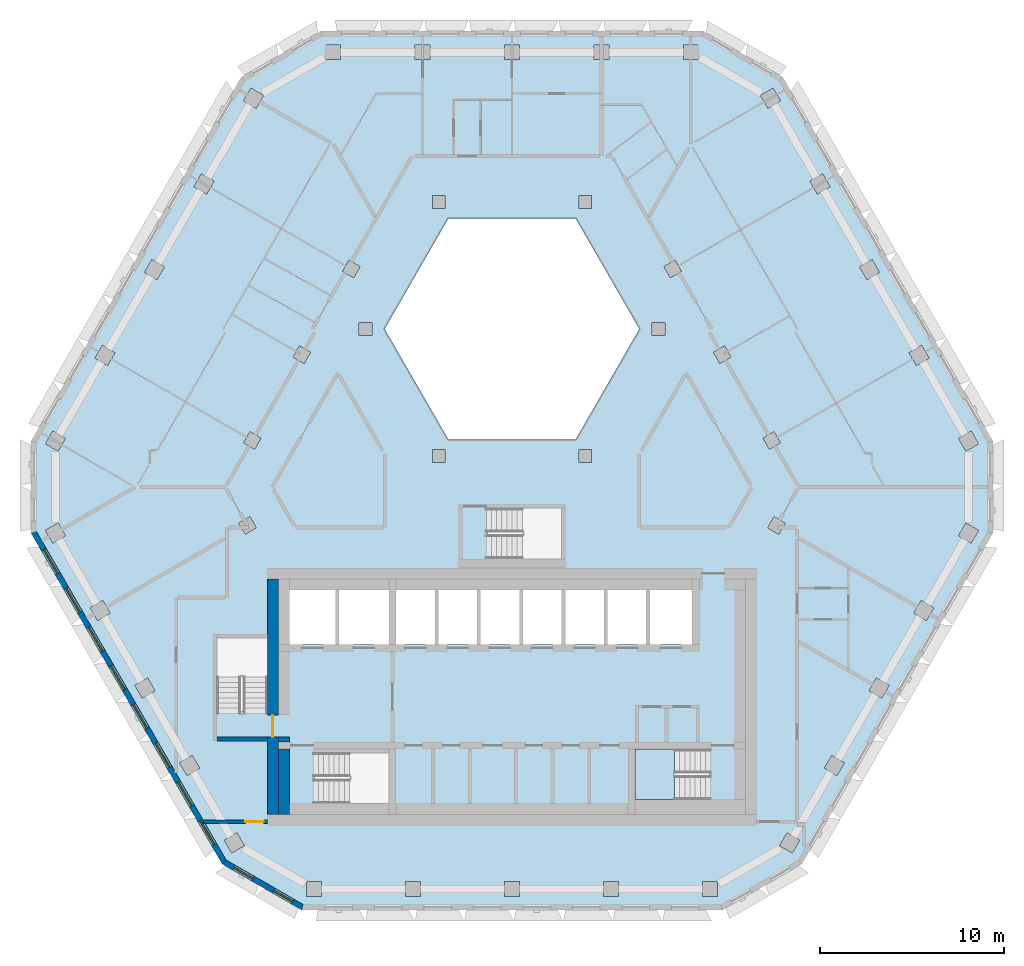
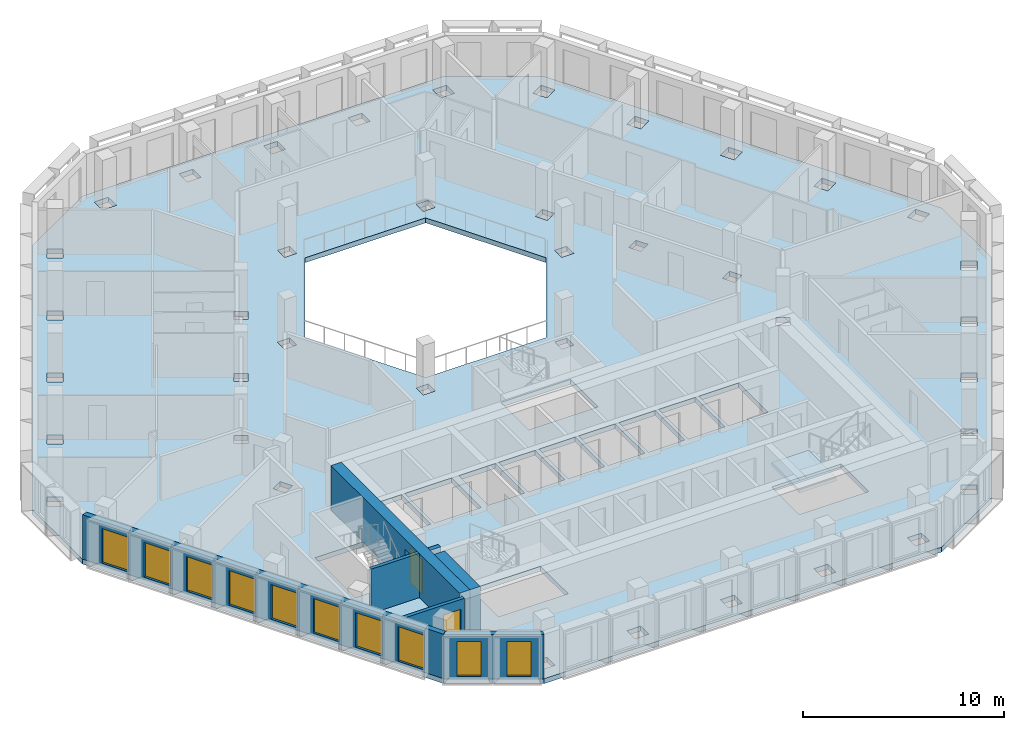
# One storey, part 2 of 17: 10 windows, 7 walls, 2 doors, 2 slabs, 12 openings, 1 element without a shape of its own.
"""IFC4 building model written with IfcOpenShell, lengths in metres."""

import ifcopenshell
import ifcopenshell.guid

model = None  # the IFC model being written
_history = None  # IfcOwnerHistory: only IFC2X3 demands one
_inside = {}  # id of a spatial element -> (the spatial element, [elements in it])
_under = {}  # id of a project, library or spatial element -> (it, [spatial elements below it])
_declared = {}  # id of a project -> (the project, [libraries it declares])
_typed = {}  # id of a type object -> (the type object, [elements of that type])
_made_of = {}  # id of a material, layer set ... -> (it, [elements and type objects made of it])


def new_model(schema):
    """Start an empty IFC model of exactly this schema.

    Asked for "IFC4X3", IfcOpenShell would pick the latest addendum, in which some entities
    have other attributes; the version numbers below select the first issue.
    IFC2X3 requires an IfcOwnerHistory on every rooted entity: one is made here for all.
    """
    global model, _history
    if schema == "IFC4X3":
        model = ifcopenshell.file(schema_version=(4, 3, 0, 0))
    else:
        model = ifcopenshell.file(schema=schema)
    _inside.clear()
    _under.clear()
    _declared.clear()
    _typed.clear()
    _made_of.clear()
    _history = None
    if model.schema == "IFC2X3":
        org = make("IfcOrganization", Name="unknown")
        user = make(
            "IfcPersonAndOrganization",
            ThePerson=make("IfcPerson", FamilyName="unknown"),
            TheOrganization=org,
        )
        app = make(
            "IfcApplication",
            ApplicationDeveloper=org,
            Version="unknown",
            ApplicationFullName="unknown",
            ApplicationIdentifier="unknown",
        )
        _history = make(
            "IfcOwnerHistory",
            OwningUser=user,
            OwningApplication=app,
            ChangeAction="ADDED",
            CreationDate=0,
        )
    return model


def make(cls, **values):
    """One entity of the class cls with the attributes given. An attribute that is None is left unset."""
    return model.create_entity(
        cls, **{name: value for name, value in values.items() if value is not None}
    )


def rooted(cls, **values):
    """An entity with a GlobalId (a new one), such as an element, a storey or a relation."""
    return make(cls, GlobalId=ifcopenshell.guid.new(), OwnerHistory=_history, **values)


def si_unit(unit_type, name, prefix=None):
    """IfcSIUnit, for example si_unit("LENGTHUNIT", "METRE", prefix="MILLI")."""
    return make("IfcSIUnit", UnitType=unit_type, Prefix=prefix, Name=name)


def assignment(units):
    """IfcUnitAssignment: the units of a project."""
    return None if units is None else make("IfcUnitAssignment", Units=units)


def point(xyz):
    """IfcCartesianPoint."""
    return None if xyz is None else make("IfcCartesianPoint", Coordinates=xyz)


def direction(xyz):
    """IfcDirection."""
    return None if xyz is None else make("IfcDirection", DirectionRatios=xyz)


def frame(location, z_axis=None, x_axis=None):
    """IfcAxis2Placement3D, a coordinate frame: its origin and axes. An axis left out is left unset."""
    return make(
        "IfcAxis2Placement3D",
        Location=point(location),
        Axis=direction(z_axis),
        RefDirection=direction(x_axis),
    )


def frame_2d(location, x_axis=None):
    """IfcAxis2Placement2D, a coordinate frame in the plane: its origin and x axis."""
    return make(
        "IfcAxis2Placement2D", Location=point(location), RefDirection=direction(x_axis)
    )


def origin():
    """The frame at (0, 0, 0) with its axes left unset."""
    return frame((0.0, 0.0, 0.0))


def place(relative_to, where):
    """IfcLocalPlacement: puts the frame where relative to a parent placement (None: the world)."""
    return make(
        "IfcLocalPlacement", PlacementRelTo=relative_to, RelativePlacement=where
    )


def context(
    kind, dimensions, precision=None, world=None, true_north=None, identifier=None
):
    """IfcGeometricRepresentationContext, for example the 3D "Model" context."""
    return make(
        "IfcGeometricRepresentationContext",
        ContextIdentifier=identifier,
        ContextType=kind,
        CoordinateSpaceDimension=dimensions,
        Precision=precision,
        WorldCoordinateSystem=world,
        TrueNorth=true_north,
    )


def subcontext(parent, identifier, kind, view, scale=None):
    """IfcGeometricRepresentationSubContext, for example "Body" below "Model"."""
    return make(
        "IfcGeometricRepresentationSubContext",
        ContextIdentifier=identifier,
        ContextType=kind,
        ParentContext=parent,
        TargetScale=scale,
        TargetView=view,
    )


def project(units=None, contexts=None):
    """IfcProject with its units and contexts."""
    return rooted(
        "IfcProject",
        Name="project",
        RepresentationContexts=contexts,
        UnitsInContext=assignment(units),
    )


def spatial(cls, under=None, at=None, **own):
    """A site, building, storey or space (cls), placed at a placement, below another one or the project."""
    s = rooted(cls, ObjectPlacement=at, **own)
    if under is not None:
        _under.setdefault(under.id(), (under, []))[1].append(s)
    return s


def polyline(points):
    """IfcPolyline through the points."""
    return make("IfcPolyline", Points=[point(p) for p in points])


def profile(cls, at=None, kind="AREA", **sizes):
    """A parametric profile (cls). Its sizes go by their IFC names, for example OverallWidth=200.0."""
    return make(cls, ProfileType=kind, Position=at, **sizes)


def rectangle(**sizes):
    """IfcRectangleProfileDef."""
    return profile("IfcRectangleProfileDef", **sizes)


def outline(outer, holes=None, kind="AREA"):
    """IfcArbitraryClosedProfileDef: a profile drawn as a closed curve; with holes, ...WithVoids."""
    if holes is None:
        return make("IfcArbitraryClosedProfileDef", ProfileType=kind, OuterCurve=outer)
    return make(
        "IfcArbitraryProfileDefWithVoids",
        ProfileType=kind,
        OuterCurve=outer,
        InnerCurves=holes,
    )


def extrude(swept, where, along, depth):
    """IfcExtrudedAreaSolid: the profile swept, set in the frame where, extruded along a direction by depth."""
    return make(
        "IfcExtrudedAreaSolid",
        SweptArea=swept,
        Position=where,
        ExtrudedDirection=direction(along),
        Depth=depth,
    )


def shape(context_of_items, identifier, shape_type, items):
    """IfcShapeRepresentation: the items that make up one representation, for example the "Body"."""
    return make(
        "IfcShapeRepresentation",
        ContextOfItems=context_of_items,
        RepresentationIdentifier=identifier,
        RepresentationType=shape_type,
        Items=items,
    )


def material(Name=None, Category=None):
    """IfcMaterial."""
    return make("IfcMaterial", Name=Name, Category=Category)


def layer(
    of_material, thickness, ventilated=None, Name=None, Category=None, Priority=None
):
    """IfcMaterialLayer: one layer of a wall or slab, of a material (None: an air gap)."""
    return make(
        "IfcMaterialLayer",
        Material=of_material,
        LayerThickness=thickness,
        IsVentilated=ventilated,
        Name=Name,
        Category=Category,
        Priority=Priority,
    )


def layer_set(layers, Name=None):
    """IfcMaterialLayerSet."""
    return make("IfcMaterialLayerSet", MaterialLayers=layers, LayerSetName=Name)


def made_of(thing, what):
    """Note that an element or type object is made of a material, layer set ...; save() writes the relation."""
    if what is not None:
        _made_of.setdefault(what.id(), (what, []))[1].append(thing)
    return thing


def type_object(cls, material=None, **own):
    """A type object (cls), such as IfcWallType, which elements share."""
    return made_of(rooted(cls, **own), material)


def element(
    cls,
    number,
    at=None,
    inside=None,
    cuts=None,
    type_object=None,
    material=None,
    context=None,
    identifier="Body",
    shape_type=None,
    held_by="IfcProductDefinitionShape",
    body=None,
    shapes=None,
    **own,
):
    """One element of the class cls, such as IfcWall. Its Tag is "e" and its number.

    at: its placement. inside: the storey or other place that contains it. cuts: it is an
    opening in that element (IfcRelVoidsElement). A single representation is given by context,
    identifier, shape_type and body (its items); several are given by shapes. held_by: the class
    of the entity that holds the representations. save() writes the other relations.
    """
    e = rooted(cls, Tag="e%d" % number, ObjectPlacement=at, **own)
    if body is not None:
        shapes = [shape(context, identifier, shape_type, body)]
    if shapes is not None:
        e.Representation = make(held_by, Representations=shapes)
    if inside is not None:
        _inside.setdefault(inside.id(), (inside, []))[1].append(e)
    if cuts is not None:
        rooted(
            "IfcRelVoidsElement", RelatingBuildingElement=cuts, RelatedOpeningElement=e
        )
    if type_object is not None:
        _typed.setdefault(type_object.id(), (type_object, []))[1].append(e)
    return made_of(e, material)


def fill(opening, filler):
    """IfcRelFillsElement: the door or window that sits in an opening."""
    return rooted(
        "IfcRelFillsElement",
        RelatingOpeningElement=opening,
        RelatedBuildingElement=filler,
    )


def aggregate(whole, parts):
    """IfcRelAggregates: a whole, such as a stair, and the parts it consists of."""
    return rooted("IfcRelAggregates", RelatingObject=whole, RelatedObjects=parts)


def save(model, path):
    """Write the relations noted so far, then the file.

    IfcRelAggregates (storeys below a building ...), IfcRelContainedInSpatialStructure (elements
    in a storey), IfcRelDefinesByType, IfcRelAssociatesMaterial and IfcRelDeclares: one each for
    every whole, place, type object, material and project.
    """
    for whole, parts in _under.values():
        aggregate(whole, parts)
    for where, things in _inside.values():
        rooted(
            "IfcRelContainedInSpatialStructure",
            RelatedElements=things,
            RelatingStructure=where,
        )
    for kind, things in _typed.values():
        rooted("IfcRelDefinesByType", RelatedObjects=things, RelatingType=kind)
    for what, things in _made_of.values():
        rooted("IfcRelAssociatesMaterial", RelatedObjects=things, RelatingMaterial=what)
    for by, libraries in _declared.values():
        rooted("IfcRelDeclares", RelatingContext=by, RelatedDefinitions=libraries)
    model.write(path)


model = new_model("IFC4")

# Units and contexts
model_context = context("Model", 3, precision=1e-05, world=origin(), true_north=direction((0.0, 1.0)))
body_context = subcontext(model_context, "Body", "Model", "MODEL_VIEW")
ifc_project = project(units=[si_unit("LENGTHUNIT", "METRE"), si_unit("AREAUNIT", "SQUARE_METRE"), si_unit("VOLUMEUNIT", "CUBIC_METRE"), si_unit("PLANEANGLEUNIT", "RADIAN"), si_unit("MASSUNIT", "GRAM", prefix="KILO")], contexts=[model_context])

# Site, building, storey
site_placement = place(None, origin())
site = spatial("IfcSite", under=ifc_project, at=site_placement, CompositionType="ELEMENT")
building_placement = place(site_placement, origin())
building = spatial("IfcBuilding", under=site, at=building_placement, Name="Beryl Residences", CompositionType="ELEMENT")
storey_placement = place(building_placement, frame((0.0, 0.0, 172.199951171875)))
storey = spatial("IfcBuildingStorey", under=building, at=storey_placement, Name="L52", CompositionType="ELEMENT", Elevation=172.199951171875)

# Slab
ifc_material_1 = material(Name="Concrete C40/50", Category="concrete")
ifc_layer_1 = layer(ifc_material_1, 0.300048828125)
ifc_layer_set_1 = layer_set([ifc_layer_1], Name="SL7 PT floor slab 300 mm C40/50")
slab_type_1 = type_object("IfcSlabType", Name="SL7 PT floor slab 300 mm C40/50", PredefinedType="FLOOR", material=ifc_layer_set_1)
slab_1_placement = place(storey_placement, frame((0.0, 0.0, -0.300048828125)))
element("IfcSlab", 1, at=slab_1_placement, inside=storey, type_object=slab_type_1, Name="L52 slab 1", PredefinedType="FLOOR", context=body_context, shape_type="SweptSolid", body=[
    extrude(outline(polyline([(26.154052734375, -3.10009765625), (15.760986328125, -21.10009765625), (11.430908203125, -23.60009765625), (-11.430908203125, -23.60009765625), (-15.760986328125, -21.10009765625), (-26.154052734375, -3.10009765625), (-26.154052734375, 1.89990234375), (-14.721923828125, 21.699951171875), (-10.39208984375, 24.199951171875), (10.39208984375, 24.199951171875), (14.721923828125, 21.699951171875), (26.154052734375, 1.89990234375), (26.154052734375, -3.10009765625)]), holes=[polyline([(24.971923828125, 2.446044921875), (24.280029296875, 2.0458984375), (24.679931640625, 1.35400390625), (25.3720703125, 1.75390625), (24.971923828125, 2.446044921875)]), polyline([(24.678955078125, -2.554931640625), (24.279052734375, -3.2470703125), (24.970947265625, -3.64697265625), (25.37109375, -2.955078125), (24.678955078125, -2.554931640625)]), polyline([(22.2470703125, -6.76806640625), (21.846923828125, -7.4599609375), (22.5390625, -7.860107421875), (22.93896484375, -7.16796875), (22.2470703125, -6.76806640625)]), polyline([(22.280029296875, 7.10791015625), (21.587890625, 6.7080078125), (21.988037109375, 6.01611328125), (22.679931640625, 6.416015625), (22.280029296875, 7.10791015625)]), polyline([(19.4150390625, -11.672119140625), (20.10693359375, -12.072021484375), (20.507080078125, -11.3798828125), (19.81494140625, -10.97998046875), (19.4150390625, -11.672119140625)]), polyline([(18.89599609375, 11.37109375), (19.2958984375, 10.678955078125), (19.988037109375, 11.0791015625), (19.587890625, 11.77099609375), (18.89599609375, 11.37109375)]), polyline([(18.074951171875, -15.592041015625), (17.383056640625, -15.19189453125), (16.98291015625, -15.884033203125), (17.675048828125, -16.283935546875), (18.074951171875, -15.592041015625)]), polyline([(16.89599609375, 16.43408203125), (16.2041015625, 16.033935546875), (16.60400390625, 15.342041015625), (17.2958984375, 15.741943359375), (16.89599609375, 16.43408203125)]), polyline([(15.64306640625, -19.804931640625), (14.950927734375, -19.405029296875), (14.551025390625, -20.096923828125), (15.242919921875, -20.4970703125), (15.64306640625, -19.804931640625)]), polyline([(14.860107421875, -2.56103515625), (14.25390625, -2.2109375), (13.904052734375, -2.81689453125), (14.510009765625, -3.1669921875), (14.860107421875, -2.56103515625)]), polyline([(14.2041015625, 21.095947265625), (13.511962890625, 20.696044921875), (13.912109375, 20.00390625), (14.60400390625, 20.404052734375), (14.2041015625, 21.095947265625)]), polyline([(13.64501953125, 2.06494140625), (13.9951171875, 1.458984375), (14.60107421875, 1.80908203125), (14.2509765625, 2.4150390625), (13.64501953125, 2.06494140625)]), polyline([(11.55908203125, 7.077880859375), (10.952880859375, 6.72802734375), (11.302978515625, 6.1220703125), (11.908935546875, 6.471923828125), (11.55908203125, 7.077880859375)]), polyline([(11.1689453125, -22.050048828125), (10.368896484375, -22.050048828125), (10.368896484375, -22.85009765625), (11.1689453125, -22.85009765625), (11.1689453125, -22.050048828125)]), polyline([(6.699951171875, -14.85009765625), (6.699951171875, -17.60009765625), (10.699951171875, -17.60009765625), (10.699951171875, -14.85009765625), (6.699951171875, -14.85009765625)]), polyline([(9.327880859375, 23.449951171875), (9.327880859375, 22.64990234375), (10.1279296875, 22.64990234375), (10.1279296875, 23.449951171875), (9.327880859375, 23.449951171875)]), polyline([(7.5, -9.14990234375), (9.800048828125, -9.14990234375), (9.800048828125, -6.199951171875), (7.5, -6.199951171875), (7.5, -9.14990234375)]), polyline([(8.260986328125, 11.39111328125), (8.611083984375, 10.784912109375), (9.217041015625, 11.135009765625), (8.866943359375, 11.740966796875), (8.260986328125, 11.39111328125)]), polyline([(8.31689453125, 7.64990234375), (8.31689453125, 8.35009765625), (7.616943359375, 8.35009765625), (7.616943359375, 7.64990234375), (8.31689453125, 7.64990234375)]), polyline([(5.199951171875, -9.14990234375), (7.300048828125, -9.14990234375), (7.300048828125, -6.199951171875), (5.199951171875, -6.199951171875), (5.199951171875, -9.14990234375)]), polyline([(3.464111328125, 14.0), (-3.464111328125, 14.0), (-6.92822265625, 8.0), (-3.464111328125, 2.0), (3.464111328125, 2.0), (6.92822265625, 8.0), (3.464111328125, 14.0)]), polyline([(5.784912109375, -22.85009765625), (5.784912109375, -22.050048828125), (4.985107421875, -22.050048828125), (4.985107421875, -22.85009765625), (5.784912109375, -22.85009765625)]), polyline([(4.464111328125, 23.449951171875), (4.464111328125, 22.64990234375), (5.263916015625, 22.64990234375), (5.263916015625, 23.449951171875), (4.464111328125, 23.449951171875)]), polyline([(5.0, -9.14990234375), (5.0, -6.199951171875), (2.89990234375, -6.199951171875), (2.89990234375, -9.14990234375), (5.0, -9.14990234375)]), polyline([(4.333984375, 14.550048828125), (4.333984375, 15.25), (3.634033203125, 15.25), (3.634033203125, 14.550048828125), (4.333984375, 14.550048828125)]), polyline([(4.333984375, 1.449951171875), (3.634033203125, 1.449951171875), (3.634033203125, 0.75), (4.333984375, 0.75), (4.333984375, 1.449951171875)]), polyline([(2.699951171875, -4.5), (2.699951171875, -1.75), (-1.300048828125, -1.75), (-1.300048828125, -4.5), (2.699951171875, -4.5)]), polyline([(0.60009765625, -9.14990234375), (2.699951171875, -9.14990234375), (2.699951171875, -6.199951171875), (0.60009765625, -6.199951171875), (0.60009765625, -9.14990234375)]), polyline([(-0.39892578125, -22.050048828125), (-0.39892578125, -22.85009765625), (0.40087890625, -22.85009765625), (0.40087890625, -22.050048828125), (-0.39892578125, -22.050048828125)]), polyline([(0.39990234375, 22.64990234375), (0.39990234375, 23.449951171875), (-0.39990234375, 23.449951171875), (-0.39990234375, 22.64990234375), (0.39990234375, 22.64990234375)]), polyline([(0.39990234375, -6.199951171875), (-1.699951171875, -6.199951171875), (-1.699951171875, -9.14990234375), (0.39990234375, -9.14990234375), (0.39990234375, -6.199951171875)]), polyline([(-4.0, -9.14990234375), (-1.89990234375, -9.14990234375), (-1.89990234375, -6.199951171875), (-4.0, -6.199951171875), (-4.0, -9.14990234375)]), polyline([(-3.634033203125, 15.25), (-4.333984375, 15.25), (-4.333984375, 14.550048828125), (-3.634033203125, 14.550048828125), (-3.634033203125, 15.25)]), polyline([(-3.634033203125, 0.75), (-3.634033203125, 1.449951171875), (-4.333984375, 1.449951171875), (-4.333984375, 0.75), (-3.634033203125, 0.75)]), polyline([(-6.300048828125, -9.14990234375), (-4.199951171875, -9.14990234375), (-4.199951171875, -6.199951171875), (-6.300048828125, -6.199951171875), (-6.300048828125, -9.14990234375)]), polyline([(-5.263916015625, 23.449951171875), (-5.263916015625, 22.64990234375), (-4.464111328125, 22.64990234375), (-4.464111328125, 23.449951171875), (-5.263916015625, 23.449951171875)]), polyline([(-4.98291015625, -22.85009765625), (-4.98291015625, -22.050048828125), (-5.782958984375, -22.050048828125), (-5.782958984375, -22.85009765625), (-4.98291015625, -22.85009765625)]), polyline([(-6.699951171875, -6.199951171875), (-9.39990234375, -6.199951171875), (-9.39990234375, -9.14990234375), (-6.699951171875, -9.14990234375), (-6.699951171875, -6.199951171875)]), polyline([(-10.699951171875, -15.050048828125), (-10.699951171875, -17.800048828125), (-6.699951171875, -17.800048828125), (-6.699951171875, -15.050048828125), (-10.699951171875, -15.050048828125)]), polyline([(-7.616943359375, 7.64990234375), (-7.616943359375, 8.35009765625), (-8.31689453125, 8.35009765625), (-8.31689453125, 7.64990234375), (-7.616943359375, 7.64990234375)]), polyline([(-8.611083984375, 10.784912109375), (-8.260986328125, 11.39111328125), (-8.866943359375, 11.740966796875), (-9.217041015625, 11.135009765625), (-8.611083984375, 10.784912109375)]), polyline([(-10.1279296875, 23.449951171875), (-10.1279296875, 22.64990234375), (-9.327880859375, 22.64990234375), (-9.327880859375, 23.449951171875), (-10.1279296875, 23.449951171875)]), polyline([(-12.10009765625, -9.14990234375), (-9.60009765625, -9.14990234375), (-9.60009765625, -6.199951171875), (-12.10009765625, -6.199951171875), (-12.10009765625, -9.14990234375)]), polyline([(-11.1669921875, -22.050048828125), (-11.1669921875, -22.85009765625), (-10.366943359375, -22.85009765625), (-10.366943359375, -22.050048828125), (-11.1669921875, -22.050048828125)]), polyline([(-11.908935546875, 6.471923828125), (-11.302978515625, 6.1220703125), (-10.952880859375, 6.72802734375), (-11.55908203125, 7.077880859375), (-11.908935546875, 6.471923828125)]), polyline([(-13.300048828125, -8.800048828125), (-16.050048828125, -8.800048828125), (-16.050048828125, -12.800048828125), (-13.300048828125, -12.800048828125), (-13.300048828125, -8.800048828125)]), polyline([(-13.912109375, 20.00390625), (-13.511962890625, 20.696044921875), (-14.2041015625, 21.095947265625), (-14.60400390625, 20.404052734375), (-13.912109375, 20.00390625)]), polyline([(-13.9951171875, 1.458984375), (-13.64501953125, 2.06494140625), (-14.2509765625, 2.4150390625), (-14.60107421875, 1.80908203125), (-13.9951171875, 1.458984375)]), polyline([(-14.510986328125, -3.1650390625), (-13.905029296875, -2.81494140625), (-14.2548828125, -2.208984375), (-14.861083984375, -2.55908203125), (-14.510986328125, -3.1650390625)]), polyline([(-14.552001953125, -20.094970703125), (-14.951904296875, -19.403076171875), (-15.64404296875, -19.802978515625), (-15.243896484375, -20.4951171875), (-14.552001953125, -20.094970703125)]), polyline([(-16.60400390625, 15.342041015625), (-16.2041015625, 16.033935546875), (-16.89599609375, 16.43408203125), (-17.2958984375, 15.741943359375), (-16.60400390625, 15.342041015625)]), polyline([(-16.98388671875, -15.882080078125), (-17.384033203125, -15.18994140625), (-18.075927734375, -15.590087890625), (-17.676025390625, -16.281982421875), (-16.98388671875, -15.882080078125)]), polyline([(-18.89599609375, 11.37109375), (-19.587890625, 11.77099609375), (-19.988037109375, 11.0791015625), (-19.2958984375, 10.678955078125), (-18.89599609375, 11.37109375)]), polyline([(-20.10791015625, -12.070068359375), (-19.416015625, -11.669921875), (-19.81591796875, -10.97802734375), (-20.508056640625, -11.3779296875), (-20.10791015625, -12.070068359375)]), polyline([(-22.679931640625, 6.416015625), (-21.988037109375, 6.01611328125), (-21.587890625, 6.7080078125), (-22.280029296875, 7.10791015625), (-22.679931640625, 6.416015625)]), polyline([(-21.847900390625, -7.4580078125), (-22.248046875, -6.76611328125), (-22.93994140625, -7.166015625), (-22.5400390625, -7.85791015625), (-21.847900390625, -7.4580078125)]), polyline([(-25.3720703125, 1.75390625), (-24.679931640625, 1.35400390625), (-24.280029296875, 2.0458984375), (-24.971923828125, 2.446044921875), (-25.3720703125, 1.75390625)]), polyline([(-24.280029296875, -3.2451171875), (-24.679931640625, -2.552978515625), (-25.3720703125, -2.952880859375), (-24.971923828125, -3.64501953125), (-24.280029296875, -3.2451171875)])]), origin(), (0.0, 0.0, 1.0), 0.300048828125),
])

# Stair, slab
ifc_material_2 = material(Name="Concrete C40/50", Category="concrete")
stair_type = type_object("IfcStairType", Name="ST1 protected exit stair, half-turn, 1300 mm flights", PredefinedType="HALF_TURN_STAIR", material=ifc_material_2)
stair_placement = place(storey_placement, origin())
stair = element("IfcStair", 2, at=stair_placement, inside=storey, type_object=stair_type, Name="L52 PROTECTED EXIT STAIR ST-3", PredefinedType="HALF_TURN_STAIR")
ifc_material_3 = material(Name="Concrete C40/50", Category="concrete")
ifc_layer_2 = layer(ifc_material_3, 0.199951171875)
ifc_layer_set_2 = layer_set([ifc_layer_2], Name="SLD1 stair landing 200 mm")
slab_type_2 = type_object("IfcSlabType", Name="SLD1 stair landing 200 mm", PredefinedType="LANDING", material=ifc_layer_set_2)
slab_2_placement = place(storey_placement, frame((0.0, 0.0, 1.300048828125)))
slab_2 = element("IfcSlab", 3, at=slab_2_placement, type_object=slab_type_2, Name="ST-3 landing 1", PredefinedType="LANDING", context=body_context, shape_type="SweptSolid", body=[
    extrude(outline(polyline([(8.840087890625, -14.85009765625), (6.699951171875, -14.85009765625), (6.699951171875, -17.60009765625), (8.840087890625, -17.60009765625), (8.840087890625, -14.85009765625)])), origin(), (0.0, 0.0, 1.0), 0.199951171875),
])
aggregate(stair, [slab_2])

# Wall, openings, windows
ifc_material_4 = material(Name="Composite metal panel with mineral wool insulation")
ifc_layer_3 = layer(ifc_material_4, 0.300048828125)
ifc_layer_set_3 = layer_set([ifc_layer_3], Name="ES1 pale metal composite panel wall 300 mm")
wall_type_1 = type_object("IfcWallType", Name="ES1 pale metal composite panel wall 300 mm", PredefinedType="SOLIDWALL", material=ifc_layer_set_3)
wall_1_placement = place(storey_placement, frame((-26.02392578125, -3.02490234375, 0.0), z_axis=(0.0, 0.0, 1.0), x_axis=(0.500018670445, -0.86601462413, 0.0)))
wall_1 = element("IfcWall", 4, at=wall_1_placement, inside=storey, type_object=wall_type_1, Name="ES1 external wall L52 SW", PredefinedType="SOLIDWALL", context=body_context, shape_type="SweptSolid", body=[
    extrude(outline(polyline([(0.0, -0.14990234375), (20.784912109375, -0.14990234375), (20.70458984375, 0.14990234375), (0.080322265625, 0.14990234375), (0.0, -0.14990234375)])), origin(), (0.0, 0.0, 1.0), 2.699951171875),
])
opening_1_placement = place(wall_1_placement, frame((1.1298828125, 0.0, 0.14990234375)))
opening_1 = element("IfcOpeningElement", 5, at=opening_1_placement, cuts=wall_1, Name="Opening W1", PredefinedType="OPENING", context=body_context, shape_type="SweptSolid", body=[
    extrude(rectangle(XDim=1.5, YDim=2.10009765625, at=frame_2d((0.75, 1.050048828125))), frame((0.0, 0.159912109375, 0.0), z_axis=(0.0, -1.0, 0.0), x_axis=(1.0, 0.0, 0.0)), (0.0, 0.0, 1.0), 0.320068359375),
])
opening_2_placement = place(wall_1_placement, frame((3.56201171875, 0.0, 0.14990234375)))
opening_2 = element("IfcOpeningElement", 6, at=opening_2_placement, cuts=wall_1, Name="Opening W1", PredefinedType="OPENING", context=body_context, shape_type="SweptSolid", body=[
    extrude(rectangle(XDim=1.5, YDim=2.10009765625, at=frame_2d((0.75, 1.050048828125))), frame((0.0, 0.159912109375, 0.0), z_axis=(0.0, -1.0, 0.0), x_axis=(1.0, 0.0, 0.0)), (0.0, 0.0, 1.0), 0.320068359375),
])
opening_3_placement = place(wall_1_placement, frame((5.993896484375, 0.0, 0.14990234375)))
opening_3 = element("IfcOpeningElement", 7, at=opening_3_placement, cuts=wall_1, Name="Opening W1", PredefinedType="OPENING", context=body_context, shape_type="SweptSolid", body=[
    extrude(rectangle(XDim=1.5, YDim=2.10009765625, at=frame_2d((0.75, 1.050048828125))), frame((0.0, 0.159912109375, 0.0), z_axis=(0.0, -1.0, 0.0), x_axis=(1.0, 0.0, 0.0)), (0.0, 0.0, 1.0), 0.320068359375),
])
opening_4_placement = place(wall_1_placement, frame((8.425048828125, 0.0, 0.14990234375)))
opening_4 = element("IfcOpeningElement", 8, at=opening_4_placement, cuts=wall_1, Name="Opening W1", PredefinedType="OPENING", context=body_context, shape_type="SweptSolid", body=[
    extrude(rectangle(XDim=1.5, YDim=2.10009765625, at=frame_2d((0.75, 1.050048828125))), frame((0.0, 0.159912109375, 0.0), z_axis=(0.0, -1.0, 0.0), x_axis=(1.0, 0.0, 0.0)), (0.0, 0.0, 1.0), 0.320068359375),
])
opening_5_placement = place(wall_1_placement, frame((10.85693359375, 0.0, 0.14990234375)))
opening_5 = element("IfcOpeningElement", 9, at=opening_5_placement, cuts=wall_1, Name="Opening W1", PredefinedType="OPENING", context=body_context, shape_type="SweptSolid", body=[
    extrude(rectangle(XDim=1.5, YDim=2.10009765625, at=frame_2d((0.75, 1.050048828125))), frame((0.0, 0.159912109375, 0.0), z_axis=(0.0, -1.0, 0.0), x_axis=(1.0, 0.0, 0.0)), (0.0, 0.0, 1.0), 0.320068359375),
])
opening_6_placement = place(wall_1_placement, frame((13.2890625, 0.0, 0.14990234375)))
opening_6 = element("IfcOpeningElement", 10, at=opening_6_placement, cuts=wall_1, Name="Opening W1", PredefinedType="OPENING", context=body_context, shape_type="SweptSolid", body=[
    extrude(rectangle(XDim=1.5, YDim=2.10009765625, at=frame_2d((0.75, 1.050048828125))), frame((0.0, 0.159912109375, 0.0), z_axis=(0.0, -1.0, 0.0), x_axis=(1.0, 0.0, 0.0)), (0.0, 0.0, 1.0), 0.320068359375),
])
opening_7_placement = place(wall_1_placement, frame((15.721923828125, 0.0, 0.14990234375)))
opening_7 = element("IfcOpeningElement", 11, at=opening_7_placement, cuts=wall_1, Name="Opening W1", PredefinedType="OPENING", context=body_context, shape_type="SweptSolid", body=[
    extrude(rectangle(XDim=1.5, YDim=2.10009765625, at=frame_2d((0.75, 1.050048828125))), frame((0.0, 0.159912109375, 0.0), z_axis=(0.0, -1.0, 0.0), x_axis=(1.0, 0.0, 0.0)), (0.0, 0.0, 1.0), 0.320068359375),
])
opening_8_placement = place(wall_1_placement, frame((18.154052734375, 0.0, 0.14990234375)))
opening_8 = element("IfcOpeningElement", 12, at=opening_8_placement, cuts=wall_1, Name="Opening W1", PredefinedType="OPENING", context=body_context, shape_type="SweptSolid", body=[
    extrude(rectangle(XDim=1.5, YDim=2.10009765625, at=frame_2d((0.75, 1.050048828125))), frame((0.0, 0.159912109375, 0.0), z_axis=(0.0, -1.0, 0.0), x_axis=(1.0, 0.0, 0.0)), (0.0, 0.0, 1.0), 0.320068359375),
])
ifc_material_5 = material(Name="Aluminium and clear glass", Category="aluminium")
window_type_1 = type_object("IfcWindowType", Name="W1 cell window 1500 x 2100 mm", PartitioningType="SINGLE_PANEL", PredefinedType="WINDOW", material=ifc_material_5)
window_1_placement = place(opening_1_placement, origin())
window_1 = element("IfcWindow", 13, at=window_1_placement, inside=storey, type_object=window_type_1, Name="W1 window L52 SW 1", OverallHeight=2.10009765625, OverallWidth=1.5, PartitioningType="SINGLE_PANEL", PredefinedType="WINDOW", context=body_context, shape_type="SweptSolid", body=[
    extrude(rectangle(XDim=1.5, YDim=2.10009765625, at=frame_2d((0.75, 1.050048828125))), frame((0.0, 0.030029296875, 0.0), z_axis=(0.0, -1.0, 0.0), x_axis=(1.0, 0.0, 0.0)), (0.0, 0.0, 1.0), 0.06005859375),
])
fill(opening_1, window_1)
window_2_placement = place(opening_2_placement, origin())
window_2 = element("IfcWindow", 14, at=window_2_placement, inside=storey, type_object=window_type_1, Name="W1 window L52 SW 2", OverallHeight=2.10009765625, OverallWidth=1.5, PartitioningType="SINGLE_PANEL", PredefinedType="WINDOW", context=body_context, shape_type="SweptSolid", body=[
    extrude(rectangle(XDim=1.5, YDim=2.10009765625, at=frame_2d((0.75, 1.050048828125))), frame((0.0, 0.030029296875, 0.0), z_axis=(0.0, -1.0, 0.0), x_axis=(1.0, 0.0, 0.0)), (0.0, 0.0, 1.0), 0.06005859375),
])
fill(opening_2, window_2)
window_3_placement = place(opening_3_placement, origin())
window_3 = element("IfcWindow", 15, at=window_3_placement, inside=storey, type_object=window_type_1, Name="W1 window L52 SW 3", OverallHeight=2.10009765625, OverallWidth=1.5, PartitioningType="SINGLE_PANEL", PredefinedType="WINDOW", context=body_context, shape_type="SweptSolid", body=[
    extrude(rectangle(XDim=1.5, YDim=2.10009765625, at=frame_2d((0.75, 1.050048828125))), frame((0.0, 0.030029296875, 0.0), z_axis=(0.0, -1.0, 0.0), x_axis=(1.0, 0.0, 0.0)), (0.0, 0.0, 1.0), 0.06005859375),
])
fill(opening_3, window_3)
window_4_placement = place(opening_4_placement, origin())
window_4 = element("IfcWindow", 16, at=window_4_placement, inside=storey, type_object=window_type_1, Name="W1 window L52 SW 4", OverallHeight=2.10009765625, OverallWidth=1.5, PartitioningType="SINGLE_PANEL", PredefinedType="WINDOW", context=body_context, shape_type="SweptSolid", body=[
    extrude(rectangle(XDim=1.5, YDim=2.10009765625, at=frame_2d((0.75, 1.050048828125))), frame((0.0, 0.030029296875, 0.0), z_axis=(0.0, -1.0, 0.0), x_axis=(1.0, 0.0, 0.0)), (0.0, 0.0, 1.0), 0.06005859375),
])
fill(opening_4, window_4)
window_5_placement = place(opening_5_placement, origin())
window_5 = element("IfcWindow", 17, at=window_5_placement, inside=storey, type_object=window_type_1, Name="W1 window L52 SW 5", OverallHeight=2.10009765625, OverallWidth=1.5, PartitioningType="SINGLE_PANEL", PredefinedType="WINDOW", context=body_context, shape_type="SweptSolid", body=[
    extrude(rectangle(XDim=1.5, YDim=2.10009765625, at=frame_2d((0.75, 1.050048828125))), frame((0.0, 0.030029296875, 0.0), z_axis=(0.0, -1.0, 0.0), x_axis=(1.0, 0.0, 0.0)), (0.0, 0.0, 1.0), 0.06005859375),
])
fill(opening_5, window_5)
window_6_placement = place(opening_6_placement, origin())
window_6 = element("IfcWindow", 18, at=window_6_placement, inside=storey, type_object=window_type_1, Name="W1 window L52 SW 6", OverallHeight=2.10009765625, OverallWidth=1.5, PartitioningType="SINGLE_PANEL", PredefinedType="WINDOW", context=body_context, shape_type="SweptSolid", body=[
    extrude(rectangle(XDim=1.5, YDim=2.10009765625, at=frame_2d((0.75, 1.050048828125))), frame((0.0, 0.030029296875, 0.0), z_axis=(0.0, -1.0, 0.0), x_axis=(1.0, 0.0, 0.0)), (0.0, 0.0, 1.0), 0.06005859375),
])
fill(opening_6, window_6)
window_7_placement = place(opening_7_placement, origin())
window_7 = element("IfcWindow", 19, at=window_7_placement, inside=storey, type_object=window_type_1, Name="W1 window L52 SW 7", OverallHeight=2.10009765625, OverallWidth=1.5, PartitioningType="SINGLE_PANEL", PredefinedType="WINDOW", context=body_context, shape_type="SweptSolid", body=[
    extrude(rectangle(XDim=1.5, YDim=2.10009765625, at=frame_2d((0.75, 1.050048828125))), frame((0.0, 0.030029296875, 0.0), z_axis=(0.0, -1.0, 0.0), x_axis=(1.0, 0.0, 0.0)), (0.0, 0.0, 1.0), 0.06005859375),
])
fill(opening_7, window_7)
window_8_placement = place(opening_8_placement, origin())
window_8 = element("IfcWindow", 20, at=window_8_placement, inside=storey, type_object=window_type_1, Name="W1 window L52 SW 8", OverallHeight=2.10009765625, OverallWidth=1.5, PartitioningType="SINGLE_PANEL", PredefinedType="WINDOW", context=body_context, shape_type="SweptSolid", body=[
    extrude(rectangle(XDim=1.5, YDim=2.10009765625, at=frame_2d((0.75, 1.050048828125))), frame((0.0, 0.030029296875, 0.0), z_axis=(0.0, -1.0, 0.0), x_axis=(1.0, 0.0, 0.0)), (0.0, 0.0, 1.0), 0.06005859375),
])
fill(opening_8, window_8)

wall_2_placement = place(storey_placement, frame((-15.68603515625, -20.969970703125, 0.0), z_axis=(0.0, 0.0, 1.0), x_axis=(0.866022959057, -0.500004234368, 0.0)))
wall_2 = element("IfcWall", 21, at=wall_2_placement, inside=storey, type_object=wall_type_1, Name="ES1 external wall L52 SW-S", PredefinedType="SOLIDWALL", context=body_context, shape_type="SweptSolid", body=[
    extrude(outline(polyline([(0.0, -0.14990234375), (5.0, -0.14990234375), (4.919677734375, 0.14990234375), (0.080322265625, 0.14990234375), (0.0, -0.14990234375)])), origin(), (0.0, 0.0, 1.0), 2.699951171875),
])
opening_9_placement = place(wall_2_placement, frame((0.64990234375, 0.0, 0.14990234375)))
opening_9 = element("IfcOpeningElement", 22, at=opening_9_placement, cuts=wall_2, Name="Opening W2", PredefinedType="OPENING", context=body_context, shape_type="SweptSolid", body=[
    extrude(rectangle(XDim=1.199951171875, YDim=2.10009765625, at=frame_2d((0.60009765625, 1.050048828125))), frame((0.0, 0.159912109375, 0.0), z_axis=(0.0, -1.0, 0.0), x_axis=(1.0, 0.0, 0.0)), (0.0, 0.0, 1.0), 0.320068359375),
])
opening_10_placement = place(wall_2_placement, frame((3.14990234375, 0.0, 0.14990234375)))
opening_10 = element("IfcOpeningElement", 23, at=opening_10_placement, cuts=wall_2, Name="Opening W2", PredefinedType="OPENING", context=body_context, shape_type="SweptSolid", body=[
    extrude(rectangle(XDim=1.199951171875, YDim=2.10009765625, at=frame_2d((0.60009765625, 1.050048828125))), frame((0.0, 0.159912109375, 0.0), z_axis=(0.0, -1.0, 0.0), x_axis=(1.0, 0.0, 0.0)), (0.0, 0.0, 1.0), 0.320068359375),
])
ifc_material_6 = material(Name="Aluminium and clear glass", Category="aluminium")
window_type_2 = type_object("IfcWindowType", Name="W2 chamfer window 1200 x 2100 mm", PartitioningType="SINGLE_PANEL", PredefinedType="WINDOW", material=ifc_material_6)
window_9_placement = place(opening_9_placement, origin())
window_9 = element("IfcWindow", 24, at=window_9_placement, inside=storey, type_object=window_type_2, Name="W2 window L52 SW-S 1", OverallHeight=2.10009765625, OverallWidth=1.199951171875, PartitioningType="SINGLE_PANEL", PredefinedType="WINDOW", context=body_context, shape_type="SweptSolid", body=[
    extrude(rectangle(XDim=1.199951171875, YDim=2.10009765625, at=frame_2d((0.60009765625, 1.050048828125))), frame((0.0, 0.030029296875, 0.0), z_axis=(0.0, -1.0, 0.0), x_axis=(1.0, 0.0, 0.0)), (0.0, 0.0, 1.0), 0.06005859375),
])
fill(opening_9, window_9)
window_10_placement = place(opening_10_placement, origin())
window_10 = element("IfcWindow", 25, at=window_10_placement, inside=storey, type_object=window_type_2, Name="W2 window L52 SW-S 2", OverallHeight=2.10009765625, OverallWidth=1.199951171875, PartitioningType="SINGLE_PANEL", PredefinedType="WINDOW", context=body_context, shape_type="SweptSolid", body=[
    extrude(rectangle(XDim=1.199951171875, YDim=2.10009765625, at=frame_2d((0.60009765625, 1.050048828125))), frame((0.0, 0.030029296875, 0.0), z_axis=(0.0, -1.0, 0.0), x_axis=(1.0, 0.0, 0.0)), (0.0, 0.0, 1.0), 0.06005859375),
])
fill(opening_10, window_10)

# Wall
ifc_material_7 = material(Name="Concrete masonry", Category="masonry")
ifc_layer_4 = layer(ifc_material_7, 0.25)
ifc_layer_set_4 = layer_set([ifc_layer_4], Name="PT13-250 lobby wall 250 mm")
wall_type_2 = type_object("IfcWallType", Name="PT13-250 lobby wall 250 mm", PredefinedType="PARTITIONING", material=ifc_layer_set_4)
wall_3_placement = place(storey_placement, frame((-12.699951171875, -14.324951171875, 0.0), z_axis=(0.0, 0.0, 1.0), x_axis=(1.0, 0.0, 0.0)))
element("IfcWall", 26, at=wall_3_placement, inside=storey, type_object=wall_type_2, Name="Lobby wall 05", PredefinedType="PARTITIONING", context=body_context, shape_type="SweptSolid", body=[
    extrude(rectangle(XDim=0.599853515625, YDim=0.25, at=frame_2d((0.2998046875, 0.0))), origin(), (0.0, 0.0, 1.0), 2.699951171875),
])

# Wall, opening, door
ifc_material_8 = material(Name="Double stud gypsum board wall")
ifc_layer_5 = layer(ifc_material_8, 0.199951171875)
ifc_layer_set_5 = layer_set([ifc_layer_5], Name="PT4 corridor wall 200 mm double stud")
wall_type_3 = type_object("IfcWallType", Name="PT4 corridor wall 200 mm double stud", PredefinedType="PARTITIONING", material=ifc_layer_set_5)
wall_4_placement = place(storey_placement, frame((-16.7919921875, -18.800048828125, 0.0), z_axis=(0.0, 0.0, 1.0), x_axis=(1.0, 0.0, 0.0)))
wall_4 = element("IfcWall", 27, at=wall_4_placement, inside=storey, type_object=wall_type_3, Name="Wall PT4 L52 027", PredefinedType="PARTITIONING", context=body_context, shape_type="SweptSolid", body=[
    extrude(rectangle(XDim=3.491943359375, YDim=0.199951171875, at=frame_2d((1.74609375, 0.0))), origin(), (0.0, 0.0, 1.0), 2.699951171875),
])
opening_11_placement = place(wall_4_placement, frame((2.2919921875, 0.0, 0.0)))
opening_11 = element("IfcOpeningElement", 28, at=opening_11_placement, cuts=wall_4, Name="Opening D1441", PredefinedType="OPENING", context=body_context, shape_type="SweptSolid", body=[
    extrude(rectangle(XDim=1.0, YDim=2.10009765625, at=frame_2d((0.5, 1.050048828125))), frame((0.0, 0.10986328125, 0.0), z_axis=(0.0, -1.0, 0.0), x_axis=(1.0, 0.0, 0.0)), (0.0, 0.0, 1.0), 0.219970703125),
])
ifc_material_9 = material(Name="Timber door leaf", Category="wood")
door_type_1 = type_object("IfcDoorType", Name="D1 flat entrance door 1000 x 2100 mm", OperationType="SINGLE_SWING_LEFT", PredefinedType="DOOR", material=ifc_material_9)
door_1_placement = place(opening_11_placement, origin())
door_1 = element("IfcDoor", 29, at=door_1_placement, inside=storey, type_object=door_type_1, Name="Door D1441 L52 001", OperationType="SINGLE_SWING_RIGHT", OverallHeight=2.10009765625, OverallWidth=1.0, PredefinedType="DOOR", context=body_context, shape_type="SweptSolid", body=[
    extrude(rectangle(XDim=1.0, YDim=2.10009765625, at=frame_2d((0.5, 1.050048828125))), frame((0.0, 0.02490234375, 0.0), z_axis=(0.0, -1.0, 0.0), x_axis=(1.0, 0.0, 0.0)), (0.0, 0.0, 1.0), 0.050048828125),
])
fill(opening_11, door_1)

# Walls
ifc_material_10 = material(Name="Concrete C40/50", Category="concrete")
ifc_layer_6 = layer(ifc_material_10, 0.199951171875)
ifc_layer_set_6 = layer_set([ifc_layer_6], Name="PT5 stair enclosure wall 200 mm reinforced concrete C40/50")
wall_type_4 = type_object("IfcWallType", Name="PT5 stair enclosure wall 200 mm reinforced concrete C40/50", PredefinedType="SOLIDWALL", material=ifc_layer_set_6)
wall_5_placement = place(storey_placement, frame((-16.050048828125, -14.300048828125, 0.0), z_axis=(0.0, 0.0, 1.0), x_axis=(1.0, 0.0, 0.0)))
element("IfcWall", 30, at=wall_5_placement, inside=storey, type_object=wall_type_4, Name="Stair wall 02", PredefinedType="SOLIDWALL", context=body_context, shape_type="SweptSolid", body=[
    extrude(rectangle(XDim=2.75, YDim=0.199951171875, at=frame_2d((1.375, 0.0))), origin(), (0.0, 0.0, 1.0), 2.699951171875),
])
ifc_material_11 = material(Name="Concrete C40/50", Category="concrete")
ifc_layer_7 = layer(ifc_material_11, 0.60009765625)
ifc_layer_set_7 = layer_set([ifc_layer_7], Name="PT5-600 stair enclosure wall 600 mm")
wall_type_5 = type_object("IfcWallType", Name="PT5-600 stair enclosure wall 600 mm", PredefinedType="SOLIDWALL", material=ifc_layer_set_7)
wall_6_placement = place(storey_placement, frame((-12.39990234375, -18.39990234375, 0.0), z_axis=(0.0, 0.0, 1.0), x_axis=(0.0, 1.0, 0.0)))
element("IfcWall", 31, at=wall_6_placement, inside=storey, type_object=wall_type_5, Name="Stair wall 04", PredefinedType="SOLIDWALL", context=body_context, shape_type="SweptSolid", body=[
    extrude(rectangle(XDim=3.5498046875, YDim=0.60009765625, at=frame_2d((1.77490234375, 0.0))), origin(), (0.0, 0.0, 1.0), 2.699951171875),
])

# Wall, opening, door
ifc_material_12 = material(Name="Concrete C50/60", Category="concrete")
ifc_layer_8 = layer(ifc_material_12, 0.60009765625)
ifc_layer_set_8 = layer_set([ifc_layer_8], Name="SW4 core outer wall 600 mm C50/60")
wall_type_6 = type_object("IfcWallType", Name="SW4 core outer wall 600 mm C50/60", PredefinedType="SHEAR", material=ifc_layer_set_8)
wall_7_placement = place(storey_placement, frame((-13.0, -18.39990234375, 0.0), z_axis=(0.0, 0.0, 1.0), x_axis=(0.0, 1.0, 0.0)))
wall_7 = element("IfcWall", 32, at=wall_7_placement, inside=storey, type_object=wall_type_6, Name="Core wall W L52", PredefinedType="SHEAR", context=body_context, shape_type="SweptSolid", body=[
    extrude(rectangle(XDim=12.7998046875, YDim=0.60009765625, at=frame_2d((6.39990234375, 0.0))), origin(), (0.0, 0.0, 1.0), 2.699951171875),
])
opening_12_placement = place(wall_7_placement, frame((4.199951171875, 0.0, 0.0)))
opening_12 = element("IfcOpeningElement", 33, at=opening_12_placement, cuts=wall_7, Name="Opening SD-2", PredefinedType="OPENING", context=body_context, shape_type="SweptSolid", body=[
    extrude(rectangle(XDim=1.199951171875, YDim=2.10009765625, at=frame_2d((0.60009765625, 1.050048828125))), frame((0.0, 0.31005859375, 0.0), z_axis=(0.0, -1.0, 0.0), x_axis=(1.0, 0.0, 0.0)), (0.0, 0.0, 1.0), 0.6201171875),
])
ifc_material_13 = material(Name="Steel door leaf in steel frame", Category="steel")
door_type_2 = type_object("IfcDoorType", Name="D4 stair door 1200 x 2100 mm", OperationType="SINGLE_SWING_LEFT", PredefinedType="DOOR", material=ifc_material_13)
door_2_placement = place(opening_12_placement, origin())
door_2 = element("IfcDoor", 34, at=door_2_placement, inside=storey, type_object=door_type_2, Name="Door SD-2 L52 001", OperationType="SINGLE_SWING_RIGHT", OverallHeight=2.10009765625, OverallWidth=1.199951171875, PredefinedType="DOOR", context=body_context, shape_type="SweptSolid", body=[
    extrude(rectangle(XDim=1.199951171875, YDim=2.10009765625, at=frame_2d((0.60009765625, 1.050048828125))), frame((0.0, 0.02490234375, 0.0), z_axis=(0.0, -1.0, 0.0), x_axis=(1.0, 0.0, 0.0)), (0.0, 0.0, 1.0), 0.050048828125),
])
fill(opening_12, door_2)

save(model, "model.ifc")
